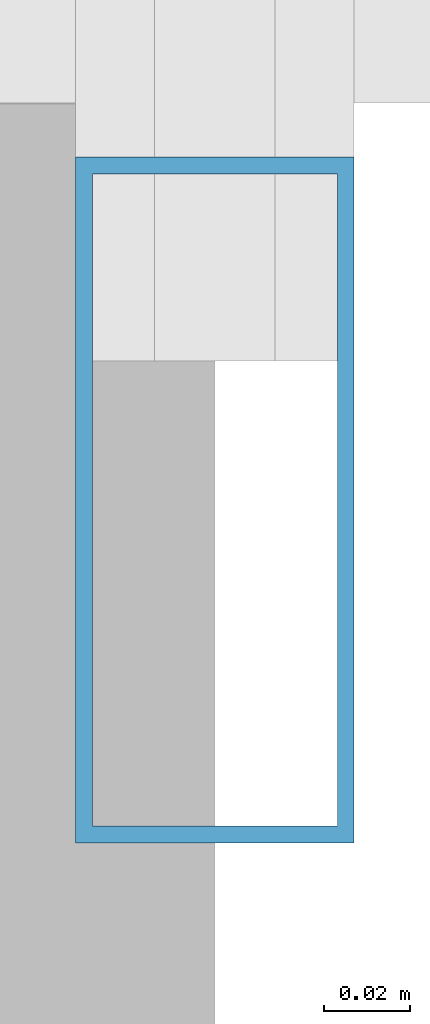
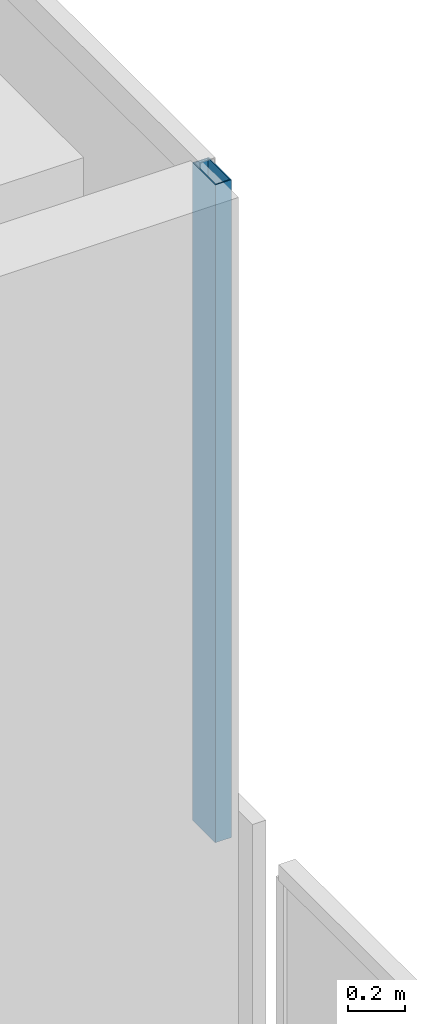
# One storey, part 50 of 76: 1 member, 1 element without a shape of its own.
"""IFC4 building model written with IfcOpenShell, lengths in metres."""

from ifc_helpers import new_model, si_unit, direction, frame, origin, origin_2d, place, context, subcontext, project, spatial, hollow_rectangle, extrude, material, material_profile, profile_set, type_object, element, aggregate, save


model = new_model("IFC4")

# Units and contexts
model_context = context("Model", 3, precision=1e-05, world=origin(), true_north=direction((0.0, 1.0)))
body_context = subcontext(model_context, "Body", "Model", "MODEL_VIEW")
ifc_project = project(units=[si_unit("LENGTHUNIT", "METRE"), si_unit("AREAUNIT", "SQUARE_METRE"), si_unit("VOLUMEUNIT", "CUBIC_METRE"), si_unit("PLANEANGLEUNIT", "RADIAN"), si_unit("MASSUNIT", "GRAM", prefix="KILO")], contexts=[model_context])

# Site, building, storey
site_placement = place(None, origin())
site = spatial("IfcSite", under=ifc_project, at=site_placement, CompositionType="ELEMENT")
building_placement = place(site_placement, origin())
building = spatial("IfcBuilding", under=site, at=building_placement, Name="Selatvlak General Hospital", CompositionType="ELEMENT")
storey_placement = place(building_placement, frame((0.0, 0.0, 27.300048828125)))
storey = spatial("IfcBuildingStorey", under=building, at=storey_placement, Name="L06", CompositionType="ELEMENT", Elevation=27.300048828125)

# Curtain wall, member
ifc_material_1 = material(Name="Solar-control Low-E double glazing", Category="glass")
curtain_wall_type = type_object("IfcCurtainWallType", Name="CW-CW-01", PredefinedType="USERDEFINED", material=ifc_material_1)
curtain_wall_placement = place(storey_placement, origin())
curtain_wall = element("IfcCurtainWall", 1, at=curtain_wall_placement, inside=storey, type_object=curtain_wall_type, Name="Glazed facade curtain wall CW-L06-0620", ObjectType="UNITISED CURTAIN WALL", PredefinedType="USERDEFINED")
ifc_material_2 = material(Name="Dark anodised aluminium mullion", Category="aluminium")
ifc_material_profile = material_profile(ifc_material_2, hollow_rectangle(XDim=0.06494140625, YDim=0.159912109375, WallThickness=0.00390625, at=origin_2d()), Name="AL-MUL 65x160x4")
ifc_profile_set = profile_set([ifc_material_profile], Name="Dark anodised aluminium mullion")
member_type = type_object("IfcMemberType", Name="CWM-01", PredefinedType="MULLION", material=ifc_profile_set)
member_placement = place(storey_placement, frame((182.0, 88.048583984375, 0.93994140625), z_axis=(0.0, 0.0, 1.0), x_axis=(1.0, 0.0, 0.0)))
member = element("IfcMember", 2, at=member_placement, type_object=member_type, Name="CW-01 mullion 4", PredefinedType="MULLION", context=body_context, shape_type="SweptSolid", body=[
    extrude(hollow_rectangle(XDim=0.06494140625, YDim=0.159912109375, WallThickness=0.00390625, at=origin_2d()), origin(), (0.0, 0.0, 1.0), 2.840087890625),
])
aggregate(curtain_wall, [member])

save(model, "model.ifc")
